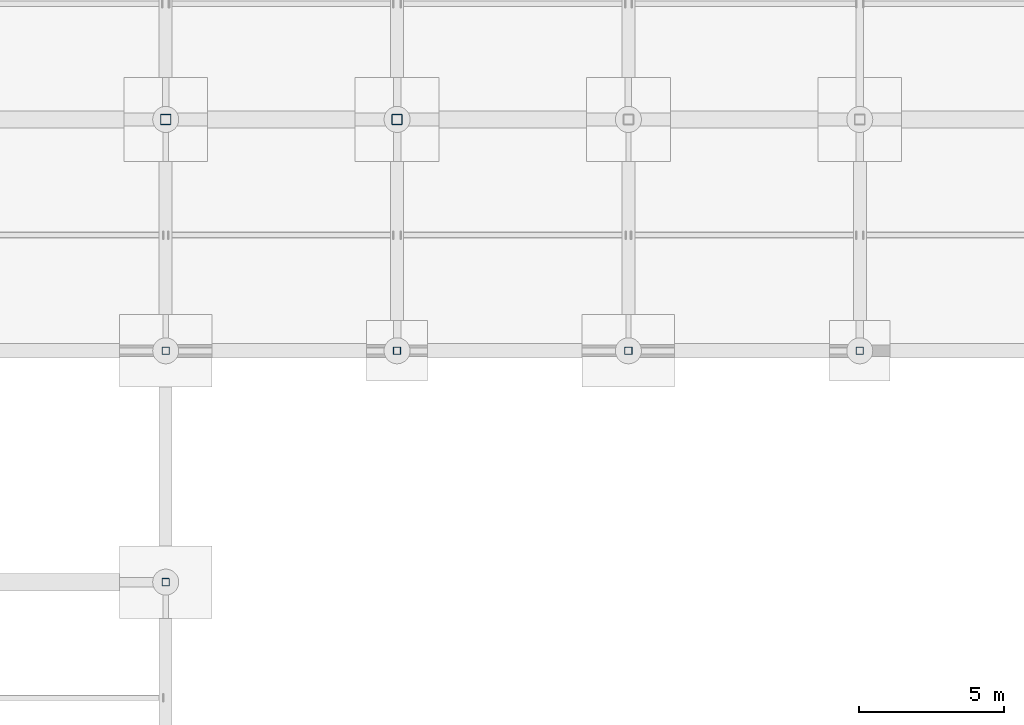
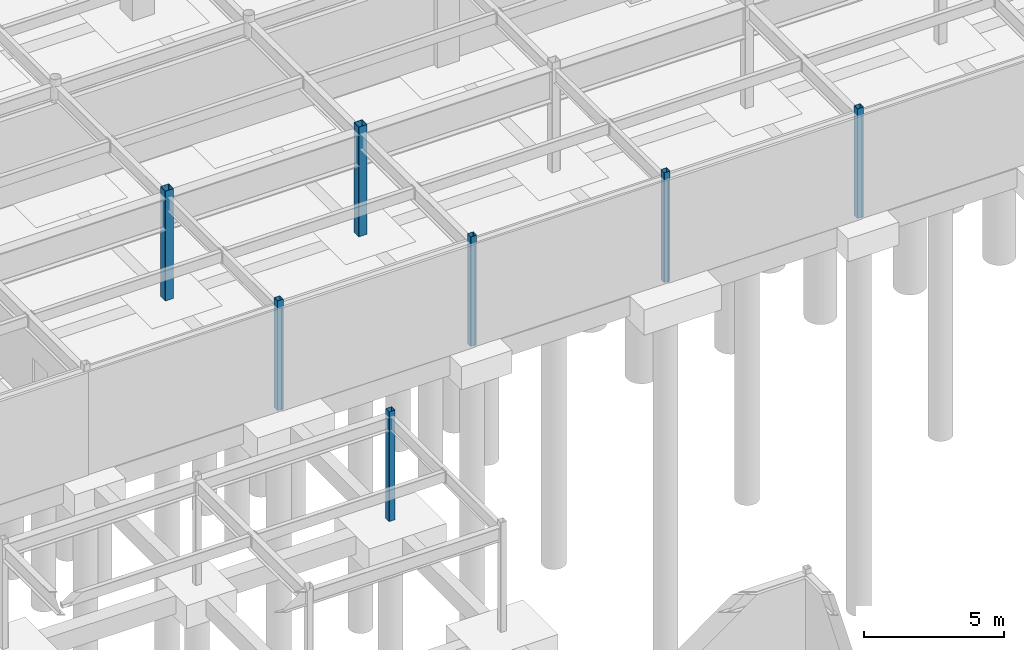
# One storey, part 40 of 105: 7 columns.
"""IFC4 building model written with IfcOpenShell, lengths in metres."""

import ifcopenshell
import ifcopenshell.guid

model = None  # the IFC model being written
_history = None  # IfcOwnerHistory: only IFC2X3 demands one
_inside = {}  # id of a spatial element -> (the spatial element, [elements in it])
_under = {}  # id of a project, library or spatial element -> (it, [spatial elements below it])
_declared = {}  # id of a project -> (the project, [libraries it declares])
_typed = {}  # id of a type object -> (the type object, [elements of that type])
_made_of = {}  # id of a material, layer set ... -> (it, [elements and type objects made of it])


def new_model(schema):
    """Start an empty IFC model of exactly this schema.

    Asked for "IFC4X3", IfcOpenShell would pick the latest addendum, in which some entities
    have other attributes; the version numbers below select the first issue.
    IFC2X3 requires an IfcOwnerHistory on every rooted entity: one is made here for all.
    """
    global model, _history
    if schema == "IFC4X3":
        model = ifcopenshell.file(schema_version=(4, 3, 0, 0))
    else:
        model = ifcopenshell.file(schema=schema)
    _inside.clear()
    _under.clear()
    _declared.clear()
    _typed.clear()
    _made_of.clear()
    _history = None
    if model.schema == "IFC2X3":
        org = make("IfcOrganization", Name="unknown")
        user = make(
            "IfcPersonAndOrganization",
            ThePerson=make("IfcPerson", FamilyName="unknown"),
            TheOrganization=org,
        )
        app = make(
            "IfcApplication",
            ApplicationDeveloper=org,
            Version="unknown",
            ApplicationFullName="unknown",
            ApplicationIdentifier="unknown",
        )
        _history = make(
            "IfcOwnerHistory",
            OwningUser=user,
            OwningApplication=app,
            ChangeAction="ADDED",
            CreationDate=0,
        )
    return model


def make(cls, **values):
    """One entity of the class cls with the attributes given. An attribute that is None is left unset."""
    return model.create_entity(
        cls, **{name: value for name, value in values.items() if value is not None}
    )


def rooted(cls, **values):
    """An entity with a GlobalId (a new one), such as an element, a storey or a relation."""
    return make(cls, GlobalId=ifcopenshell.guid.new(), OwnerHistory=_history, **values)


def si_unit(unit_type, name, prefix=None):
    """IfcSIUnit, for example si_unit("LENGTHUNIT", "METRE", prefix="MILLI")."""
    return make("IfcSIUnit", UnitType=unit_type, Prefix=prefix, Name=name)


def assignment(units):
    """IfcUnitAssignment: the units of a project."""
    return None if units is None else make("IfcUnitAssignment", Units=units)


def point(xyz):
    """IfcCartesianPoint."""
    return None if xyz is None else make("IfcCartesianPoint", Coordinates=xyz)


def direction(xyz):
    """IfcDirection."""
    return None if xyz is None else make("IfcDirection", DirectionRatios=xyz)


def frame(location, z_axis=None, x_axis=None):
    """IfcAxis2Placement3D, a coordinate frame: its origin and axes. An axis left out is left unset."""
    return make(
        "IfcAxis2Placement3D",
        Location=point(location),
        Axis=direction(z_axis),
        RefDirection=direction(x_axis),
    )


def frame_2d(location, x_axis=None):
    """IfcAxis2Placement2D, a coordinate frame in the plane: its origin and x axis."""
    return make(
        "IfcAxis2Placement2D", Location=point(location), RefDirection=direction(x_axis)
    )


def origin():
    """The frame at (0, 0, 0) with its axes left unset."""
    return frame((0.0, 0.0, 0.0))


def origin_2d():
    """The frame at (0, 0) in the plane with its x axis left unset."""
    return frame_2d((0.0, 0.0))


def place(relative_to, where):
    """IfcLocalPlacement: puts the frame where relative to a parent placement (None: the world)."""
    return make(
        "IfcLocalPlacement", PlacementRelTo=relative_to, RelativePlacement=where
    )


def context(
    kind, dimensions, precision=None, world=None, true_north=None, identifier=None
):
    """IfcGeometricRepresentationContext, for example the 3D "Model" context."""
    return make(
        "IfcGeometricRepresentationContext",
        ContextIdentifier=identifier,
        ContextType=kind,
        CoordinateSpaceDimension=dimensions,
        Precision=precision,
        WorldCoordinateSystem=world,
        TrueNorth=true_north,
    )


def subcontext(parent, identifier, kind, view, scale=None):
    """IfcGeometricRepresentationSubContext, for example "Body" below "Model"."""
    return make(
        "IfcGeometricRepresentationSubContext",
        ContextIdentifier=identifier,
        ContextType=kind,
        ParentContext=parent,
        TargetScale=scale,
        TargetView=view,
    )


def project(units=None, contexts=None):
    """IfcProject with its units and contexts."""
    return rooted(
        "IfcProject",
        Name="project",
        RepresentationContexts=contexts,
        UnitsInContext=assignment(units),
    )


def spatial(cls, under=None, at=None, **own):
    """A site, building, storey or space (cls), placed at a placement, below another one or the project."""
    s = rooted(cls, ObjectPlacement=at, **own)
    if under is not None:
        _under.setdefault(under.id(), (under, []))[1].append(s)
    return s


def profile(cls, at=None, kind="AREA", **sizes):
    """A parametric profile (cls). Its sizes go by their IFC names, for example OverallWidth=200.0."""
    return make(cls, ProfileType=kind, Position=at, **sizes)


def hollow_rectangle(**sizes):
    """IfcRectangleHollowProfileDef."""
    return profile("IfcRectangleHollowProfileDef", **sizes)


def extrude(swept, where, along, depth):
    """IfcExtrudedAreaSolid: the profile swept, set in the frame where, extruded along a direction by depth."""
    return make(
        "IfcExtrudedAreaSolid",
        SweptArea=swept,
        Position=where,
        ExtrudedDirection=direction(along),
        Depth=depth,
    )


def shape(context_of_items, identifier, shape_type, items):
    """IfcShapeRepresentation: the items that make up one representation, for example the "Body"."""
    return make(
        "IfcShapeRepresentation",
        ContextOfItems=context_of_items,
        RepresentationIdentifier=identifier,
        RepresentationType=shape_type,
        Items=items,
    )


def material(Name=None, Category=None):
    """IfcMaterial."""
    return make("IfcMaterial", Name=Name, Category=Category)


def material_profile(
    of_material, cross_section, Name=None, Category=None, Priority=None
):
    """IfcMaterialProfile: a cross section and its material."""
    return make(
        "IfcMaterialProfile",
        Name=Name,
        Material=of_material,
        Profile=cross_section,
        Priority=Priority,
        Category=Category,
    )


def profile_set(profiles, Name=None, composite=None):
    """IfcMaterialProfileSet."""
    return make(
        "IfcMaterialProfileSet",
        Name=Name,
        MaterialProfiles=profiles,
        CompositeProfile=composite,
    )


def made_of(thing, what):
    """Note that an element or type object is made of a material, layer set ...; save() writes the relation."""
    if what is not None:
        _made_of.setdefault(what.id(), (what, []))[1].append(thing)
    return thing


def type_object(cls, material=None, **own):
    """A type object (cls), such as IfcWallType, which elements share."""
    return made_of(rooted(cls, **own), material)


def element(
    cls,
    number,
    at=None,
    inside=None,
    cuts=None,
    type_object=None,
    material=None,
    context=None,
    identifier="Body",
    shape_type=None,
    held_by="IfcProductDefinitionShape",
    body=None,
    shapes=None,
    **own,
):
    """One element of the class cls, such as IfcWall. Its Tag is "e" and its number.

    at: its placement. inside: the storey or other place that contains it. cuts: it is an
    opening in that element (IfcRelVoidsElement). A single representation is given by context,
    identifier, shape_type and body (its items); several are given by shapes. held_by: the class
    of the entity that holds the representations. save() writes the other relations.
    """
    e = rooted(cls, Tag="e%d" % number, ObjectPlacement=at, **own)
    if body is not None:
        shapes = [shape(context, identifier, shape_type, body)]
    if shapes is not None:
        e.Representation = make(held_by, Representations=shapes)
    if inside is not None:
        _inside.setdefault(inside.id(), (inside, []))[1].append(e)
    if cuts is not None:
        rooted(
            "IfcRelVoidsElement", RelatingBuildingElement=cuts, RelatedOpeningElement=e
        )
    if type_object is not None:
        _typed.setdefault(type_object.id(), (type_object, []))[1].append(e)
    return made_of(e, material)


def aggregate(whole, parts):
    """IfcRelAggregates: a whole, such as a stair, and the parts it consists of."""
    return rooted("IfcRelAggregates", RelatingObject=whole, RelatedObjects=parts)


def save(model, path):
    """Write the relations noted so far, then the file.

    IfcRelAggregates (storeys below a building ...), IfcRelContainedInSpatialStructure (elements
    in a storey), IfcRelDefinesByType, IfcRelAssociatesMaterial and IfcRelDeclares: one each for
    every whole, place, type object, material and project.
    """
    for whole, parts in _under.values():
        aggregate(whole, parts)
    for where, things in _inside.values():
        rooted(
            "IfcRelContainedInSpatialStructure",
            RelatedElements=things,
            RelatingStructure=where,
        )
    for kind, things in _typed.values():
        rooted("IfcRelDefinesByType", RelatedObjects=things, RelatingType=kind)
    for what, things in _made_of.values():
        rooted("IfcRelAssociatesMaterial", RelatedObjects=things, RelatingMaterial=what)
    for by, libraries in _declared.values():
        rooted("IfcRelDeclares", RelatingContext=by, RelatedDefinitions=libraries)
    model.write(path)


model = new_model("IFC4")

# Units and contexts
model_context = context("Model", 3, precision=1e-05, world=origin(), true_north=direction((0.0, 1.0)))
body_context = subcontext(model_context, "Body", "Model", "MODEL_VIEW")
ifc_project = project(units=[si_unit("LENGTHUNIT", "METRE"), si_unit("AREAUNIT", "SQUARE_METRE"), si_unit("VOLUMEUNIT", "CUBIC_METRE"), si_unit("PLANEANGLEUNIT", "RADIAN"), si_unit("MASSUNIT", "GRAM", prefix="KILO")], contexts=[model_context])

# Site, building, storey
site_placement = place(None, origin())
site = spatial("IfcSite", under=ifc_project, at=site_placement, CompositionType="ELEMENT")
building_placement = place(site_placement, origin())
building = spatial("IfcBuilding", under=site, at=building_placement, Name="Solmirada Galleria", CompositionType="ELEMENT")
storey_placement = place(building_placement, frame((0.0, 0.0, -4.800048828125)))
storey = spatial("IfcBuildingStorey", under=building, at=storey_placement, Name="B1", CompositionType="ELEMENT", Elevation=-4.800048828125)

# Columns
ifc_material = material(Name="Steel S355 / ASTM A500 Grade C", Category="steel")
ifc_material_profile_1 = material_profile(ifc_material, hollow_rectangle(XDim=0.25390625, YDim=0.25390625, WallThickness=0.0087890625, InnerFilletRadius=0.0087890625, OuterFilletRadius=0.017822265625, at=origin_2d()), Name="HSS10X10X3/8")
ifc_profile_set_1 = profile_set([ifc_material_profile_1], Name="Steel S355 / ASTM A500 Grade C")
column_type_1 = type_object("IfcColumnType", Name="COL-HSS10", PredefinedType="COLUMN", material=ifc_profile_set_1)
for number, where, z_axis, x_axis, name in (
    (1, (136.0, 64.0, 0.0), (0.0, 0.0, 1.0), (1.0, 0.0, 0.0), "Structural column B1-1150"),
    (2, (136.0, 72.0, 0.0), (0.0, 0.0, 1.0), (1.0, 0.0, 0.0), "Structural column B1-1152"),
    (3, (144.0, 72.0, 0.0), (0.0, 0.0, 1.0), (1.0, 0.0, 0.0), "Structural column B1-1238"),
    (4, (152.0, 72.0, 0.0), (0.0, 0.0, 1.0), (1.0, 0.0, 0.0), "Structural column B1-1311"),
    (5, (160.0, 72.0, 0.0), (0.0, 0.0, 1.0), (1.0, 0.0, 0.0), "Structural column B1-1384"),
):
    element("IfcColumn", number, at=place(storey_placement, frame(where, z_axis=z_axis, x_axis=x_axis)), inside=storey, type_object=column_type_1, Name=name, PredefinedType="COLUMN", context=body_context, shape_type="SweptSolid", body=[
        extrude(hollow_rectangle(XDim=0.25390625, YDim=0.25390625, WallThickness=0.0087890625, InnerFilletRadius=0.0087890625, OuterFilletRadius=0.017822265625, at=origin_2d()), origin(), (0.0, 0.0, 1.0), 4.800048828125),
    ])
ifc_material_profile_2 = material_profile(ifc_material, hollow_rectangle(XDim=0.35595703125, YDim=0.35595703125, WallThickness=0.01171875, InnerFilletRadius=0.01171875, OuterFilletRadius=0.023681640625, at=origin_2d()), Name="HSS14X14X1/2")
ifc_profile_set_2 = profile_set([ifc_material_profile_2], Name="Steel S355 / ASTM A500 Grade C")
column_type_2 = type_object("IfcColumnType", Name="COL-HSS14", PredefinedType="COLUMN", material=ifc_profile_set_2)
for number, where, z_axis, x_axis, name in (
    (6, (136.0, 80.0, 0.0), (0.0, 0.0, 1.0), (1.0, 0.0, 0.0), "Structural column B1-1155"),
    (7, (144.0, 80.0, 0.0), (0.0, 0.0, 1.0), (1.0, 0.0, 0.0), "Structural column B1-1241"),
):
    element("IfcColumn", number, at=place(storey_placement, frame(where, z_axis=z_axis, x_axis=x_axis)), inside=storey, type_object=column_type_2, Name=name, PredefinedType="COLUMN", context=body_context, shape_type="SweptSolid", body=[
        extrude(hollow_rectangle(XDim=0.35595703125, YDim=0.35595703125, WallThickness=0.01171875, InnerFilletRadius=0.01171875, OuterFilletRadius=0.023681640625, at=origin_2d()), origin(), (0.0, 0.0, 1.0), 4.800048828125),
    ])

save(model, "model.ifc")
